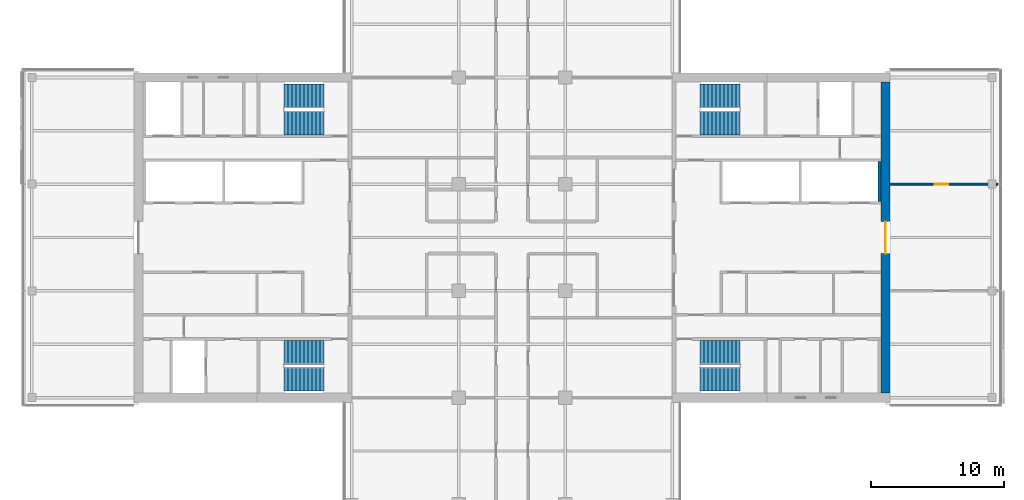
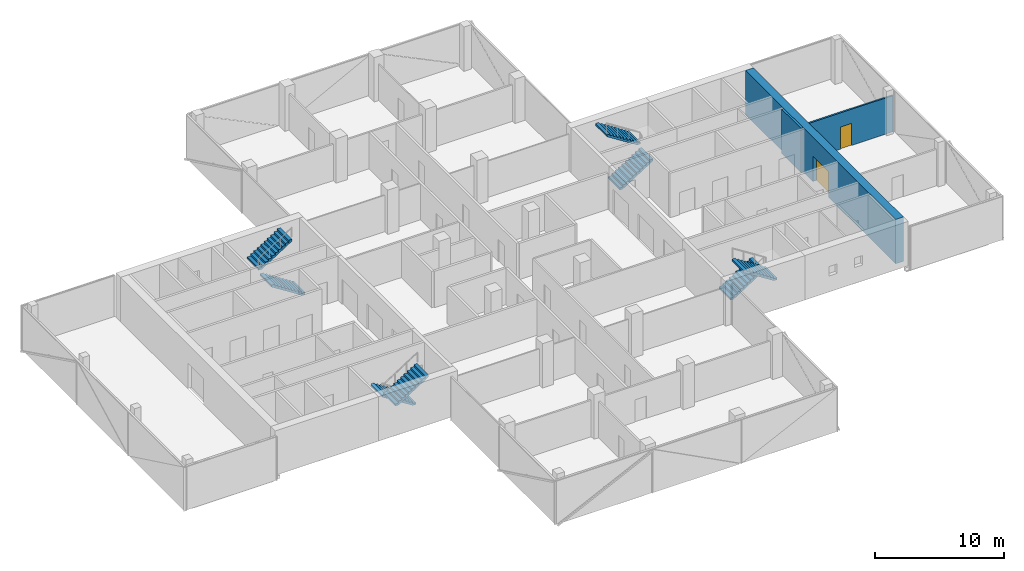
# One storey, part 17 of 22: 8 stair flights, 3 walls, 2 doors, 2 openings, 4 elements without a shape of their own.
"""IFC4 building model written with IfcOpenShell, lengths in metres."""

from ifc_helpers import new_model, si_unit, direction, frame, frame_2d, origin, place, context, subcontext, project, spatial, polyline, rectangle, outline, extrude, material, layer, layer_set, type_object, element, fill, aggregate, save


model = new_model("IFC4")

# Units and contexts
model_context = context("Model", 3, precision=1e-05, world=origin(), true_north=direction((0.0, 1.0)))
body_context = subcontext(model_context, "Body", "Model", "MODEL_VIEW")
ifc_project = project(units=[si_unit("LENGTHUNIT", "METRE"), si_unit("AREAUNIT", "SQUARE_METRE"), si_unit("VOLUMEUNIT", "CUBIC_METRE"), si_unit("PLANEANGLEUNIT", "RADIAN"), si_unit("MASSUNIT", "GRAM", prefix="KILO")], contexts=[model_context])

# Site, building, storey
site_placement = place(None, origin())
site = spatial("IfcSite", under=ifc_project, at=site_placement, CompositionType="ELEMENT")
building_placement = place(site_placement, origin())
building = spatial("IfcBuilding", under=site, at=building_placement, Name="Crosswind Convention Tower", CompositionType="ELEMENT")
storey_placement = place(building_placement, frame((0.0, 0.0, 129.5)))
storey = spatial("IfcBuildingStorey", under=building, at=storey_placement, Name="L26", CompositionType="ELEMENT", Elevation=129.5)

# Wall, opening, door
ifc_material_1 = material(Name="Concrete C60/75", Category="concrete")
ifc_layer_1 = layer(ifc_material_1, 0.699951171875)
ifc_layer_set_1 = layer_set([ifc_layer_1], Name="Concrete C60/75")
wall_type_1 = type_object("IfcWallType", Name="Concrete core wall 700", PredefinedType="SHEAR", material=ifc_layer_set_1)
wall_1_placement = place(storey_placement, frame((153.0, 88.35009765625, 0.0), z_axis=(0.0, 0.0, 1.0), x_axis=(0.0, 1.0, 0.0)))
wall_1 = element("IfcWall", 1, at=wall_1_placement, inside=storey, type_object=wall_type_1, Name="Wall O E L26", PredefinedType="SHEAR", context=body_context, shape_type="SweptSolid", body=[
    extrude(rectangle(XDim=23.2998046875, YDim=0.699951171875, at=frame_2d((11.64990234375, 0.0))), origin(), (0.0, 0.0, 1.0), 4.199951171875),
])
opening_1_placement = place(wall_1_placement, frame((10.449951171875, 0.0, 0.0)))
opening_1 = element("IfcOpeningElement", 2, at=opening_1_placement, cuts=wall_1, Name="Opening D100", PredefinedType="OPENING", context=body_context, shape_type="SweptSolid", body=[
    extrude(rectangle(XDim=2.39990234375, YDim=2.39990234375, at=frame_2d((1.199951171875, 1.199951171875))), frame((0.0, 0.35986328125, 0.0), z_axis=(0.0, -1.0, 0.0), x_axis=(1.0, 0.0, 0.0)), (0.0, 0.0, 1.0), 0.719970703125),
])
ifc_material_2 = material(Name="Steel fire door with glazed vision panels", Category="steel")
door_type_1 = type_object("IfcDoorType", Name="Fire-rated double door 2400x2400", OperationType="DOUBLE_DOOR_SINGLE_SWING", PredefinedType="DOOR", material=ifc_material_2)
door_1_placement = place(opening_1_placement, origin())
door_1 = element("IfcDoor", 3, at=door_1_placement, inside=storey, type_object=door_type_1, Name="Lobby outer door L26", ObjectType="D100", OperationType="DOUBLE_DOOR_SINGLE_SWING", OverallHeight=2.39990234375, OverallWidth=2.39990234375, PredefinedType="DOOR", context=body_context, shape_type="SweptSolid", body=[
    extrude(rectangle(XDim=2.39990234375, YDim=2.39990234375, at=frame_2d((1.199951171875, 1.199951171875))), frame((0.0, 0.02490234375, 0.0), z_axis=(0.0, -1.0, 0.0), x_axis=(1.0, 0.0, 0.0)), (0.0, 0.0, 1.0), 0.050048828125),
])
fill(opening_1, door_1)

# Wall
ifc_material_3 = material(Name="Concrete C50/60", Category="concrete")
ifc_layer_2 = layer(ifc_material_3, 0.199951171875)
ifc_layer_set_2 = layer_set([ifc_layer_2], Name="Concrete C50/60")
wall_type_2 = type_object("IfcWallType", Name="Concrete shaft and stair wall 200", PredefinedType="SHEAR", material=ifc_layer_set_2)
wall_2_placement = place(storey_placement, frame((152.550048828125, 102.699951171875, 0.0), z_axis=(0.0, 0.0, 1.0), x_axis=(0.0, 1.0, 0.0)))
element("IfcWall", 4, at=wall_2_placement, inside=storey, type_object=wall_type_2, Name="Wall RPEAST E L26", PredefinedType="SHEAR", context=body_context, shape_type="SweptSolid", body=[
    extrude(rectangle(XDim=3.0, YDim=0.199951171875, at=frame_2d((1.5, 0.0))), origin(), (0.0, 0.0, 1.0), 4.199951171875),
])

# Wall, opening, door
ifc_material_4 = material(Name="Fire-board partition with mineral wool", Category="gypsum")
ifc_layer_3 = layer(ifc_material_4, 0.14990234375)
ifc_layer_set_3 = layer_set([ifc_layer_3], Name="TENANCY WALL 150 TWO-HOUR BOARD")
wall_type_3 = type_object("IfcWallType", Name="TENANCY WALL 150 TWO-HOUR BOARD", PredefinedType="PARTITIONING", material=ifc_layer_set_3)
wall_3_placement = place(storey_placement, frame((153.35009765625, 104.0, 0.0), z_axis=(0.0, 0.0, 1.0), x_axis=(1.0, 0.0, 0.0)))
wall_3 = element("IfcWall", 5, at=wall_3_placement, inside=storey, type_object=wall_type_3, Name="Tenancy wall WT41", PredefinedType="PARTITIONING", context=body_context, shape_type="SweptSolid", body=[
    extrude(rectangle(XDim=8.06982421875, YDim=0.14990234375, at=frame_2d((4.034912109375, 0.0))), origin(), (0.0, 0.0, 1.0), 3.436279296875),
])
opening_2_placement = place(wall_3_placement, frame((3.35009765625, 0.0, 0.0)))
opening_2 = element("IfcOpeningElement", 6, at=opening_2_placement, cuts=wall_3, Name="Opening L26-68", PredefinedType="OPENING", context=body_context, shape_type="SweptSolid", body=[
    extrude(rectangle(XDim=1.0, YDim=2.10009765625, at=frame_2d((0.5, 1.050048828125))), frame((0.0, 0.0849609375, 0.0), z_axis=(0.0, -1.0, 0.0), x_axis=(1.0, 0.0, 0.0)), (0.0, 0.0, 1.0), 0.169921875),
])
ifc_material_5 = material(Name="Timber fire door", Category="wood")
door_type_2 = type_object("IfcDoorType", Name="TENANCY ENTRANCE DOOR 1000X2100 FD30S", OperationType="NOTDEFINED", PredefinedType="DOOR", material=ifc_material_5)
door_2_placement = place(opening_2_placement, origin())
door_2 = element("IfcDoor", 7, at=door_2_placement, inside=storey, type_object=door_type_2, Name="Door L26-68", ObjectType="D41", OperationType="SINGLE_SWING_RIGHT", OverallHeight=2.10009765625, OverallWidth=1.0, PredefinedType="DOOR", context=body_context, shape_type="SweptSolid", body=[
    extrude(rectangle(XDim=1.0, YDim=2.10009765625, at=frame_2d((0.5, 1.050048828125))), frame((0.0, 0.02490234375, 0.0), z_axis=(0.0, -1.0, 0.0), x_axis=(1.0, 0.0, 0.0)), (0.0, 0.0, 1.0), 0.050048828125),
])
fill(opening_2, door_2)

# Stair, stair flights
ifc_material_6 = material(Name="Concrete C40/50", Category="concrete")
stair_type = type_object("IfcStairType", Name="Exit stair 1800 wide, 2 flights of 11 risers", PredefinedType="HALF_TURN_STAIR", material=ifc_material_6)
stair_1_placement = place(storey_placement, origin())
stair_1 = element("IfcStair", 8, at=stair_1_placement, inside=storey, type_object=stair_type, Name="Exit stair ST1 L26", ObjectType="ST5", PredefinedType="HALF_TURN_STAIR")
stair_flight_type = type_object("IfcStairFlightType", Name="Stair flight 1800 wide, 11 risers (SF4)", PredefinedType="STRAIGHT", material=ifc_material_6)
stair_flight_1_placement = place(storey_placement, frame((139.10009765625, 108.60009765625, 0.0), z_axis=(0.0, 0.0, 1.0), x_axis=(1.0, 0.0, 0.0)))
stair_flight_1 = element("IfcStairFlight", 9, at=stair_flight_1_placement, type_object=stair_flight_type, Name="ST1 flight 1", NumberOfRisers=11, NumberOfTreads=10, PredefinedType="STRAIGHT", RiserHeight=0.190909091, TreadLength=0.3, context=body_context, shape_type="SweptSolid", body=[
    extrude(outline(polyline([(0.0, 0.0), (0.0, 0.19091796875), (0.300048828125, 0.19091796875), (0.300048828125, 0.3818359375), (0.60009765625, 0.3818359375), (0.60009765625, 0.57275390625), (0.89990234375, 0.57275390625), (0.89990234375, 0.763671875), (1.199951171875, 0.763671875), (1.199951171875, 0.95458984375), (1.5, 0.95458984375), (1.5, 1.1455078125), (1.800048828125, 1.1455078125), (1.800048828125, 1.33642578125), (2.10009765625, 1.33642578125), (2.10009765625, 1.52734375), (2.39990234375, 1.52734375), (2.39990234375, 1.71826171875), (2.699951171875, 1.71826171875), (2.699951171875, 1.9091796875), (3.0, 1.9091796875), (3.0, 2.10009765625), (3.0, 1.7314453125), (0.279296875, 0.0), (0.0, 0.0)])), frame((0.0, 0.89990234375, 0.0), z_axis=(0.0, -1.0, 0.0), x_axis=(1.0, 0.0, 0.0)), (0.0, 0.0, 1.0), 1.800048828125),
])
stair_flight_2_placement = place(storey_placement, frame((142.10009765625, 110.60009765625, 2.10009765625), z_axis=(0.0, 0.0, 1.0), x_axis=(-1.0, 0.0, 0.0)))
stair_flight_2 = element("IfcStairFlight", 10, at=stair_flight_2_placement, type_object=stair_flight_type, Name="ST1 flight 2", NumberOfRisers=11, NumberOfTreads=10, PredefinedType="STRAIGHT", RiserHeight=0.190909091, TreadLength=0.3, context=body_context, shape_type="SweptSolid", body=[
    extrude(outline(polyline([(0.0, 0.0), (0.0, 0.19091796875), (0.300048828125, 0.19091796875), (0.300048828125, 0.3818359375), (0.60009765625, 0.3818359375), (0.60009765625, 0.57275390625), (0.89990234375, 0.57275390625), (0.89990234375, 0.763671875), (1.199951171875, 0.763671875), (1.199951171875, 0.95458984375), (1.5, 0.95458984375), (1.5, 1.1455078125), (1.800048828125, 1.1455078125), (1.800048828125, 1.33642578125), (2.10009765625, 1.33642578125), (2.10009765625, 1.52734375), (2.39990234375, 1.52734375), (2.39990234375, 1.71826171875), (2.699951171875, 1.71826171875), (2.699951171875, 1.9091796875), (3.0, 1.9091796875), (3.0, 2.10009765625), (3.0, 1.7314453125), (0.279296875, 0.0), (0.0, 0.0)])), frame((0.0, 0.89990234375, 0.0), z_axis=(0.0, -1.0, 0.0), x_axis=(1.0, 0.0, 0.0)), (0.0, 0.0, 1.0), 1.800048828125),
])
aggregate(stair_1, [stair_flight_1, stair_flight_2])

stair_2_placement = place(storey_placement, origin())
stair_2 = element("IfcStair", 11, at=stair_2_placement, inside=storey, type_object=stair_type, Name="Exit stair ST2 L26", ObjectType="ST5", PredefinedType="HALF_TURN_STAIR")
stair_flight_3_placement = place(storey_placement, frame((139.10009765625, 91.39990234375, 0.0), z_axis=(0.0, 0.0, 1.0), x_axis=(1.0, 0.0, 0.0)))
stair_flight_3 = element("IfcStairFlight", 12, at=stair_flight_3_placement, type_object=stair_flight_type, Name="ST2 flight 1", NumberOfRisers=11, NumberOfTreads=10, PredefinedType="STRAIGHT", RiserHeight=0.190909091, TreadLength=0.3, context=body_context, shape_type="SweptSolid", body=[
    extrude(outline(polyline([(0.0, 0.0), (0.0, 0.19091796875), (0.300048828125, 0.19091796875), (0.300048828125, 0.3818359375), (0.60009765625, 0.3818359375), (0.60009765625, 0.57275390625), (0.89990234375, 0.57275390625), (0.89990234375, 0.763671875), (1.199951171875, 0.763671875), (1.199951171875, 0.95458984375), (1.5, 0.95458984375), (1.5, 1.1455078125), (1.800048828125, 1.1455078125), (1.800048828125, 1.33642578125), (2.10009765625, 1.33642578125), (2.10009765625, 1.52734375), (2.39990234375, 1.52734375), (2.39990234375, 1.71826171875), (2.699951171875, 1.71826171875), (2.699951171875, 1.9091796875), (3.0, 1.9091796875), (3.0, 2.10009765625), (3.0, 1.7314453125), (0.279296875, 0.0), (0.0, 0.0)])), frame((0.0, 0.89990234375, 0.0), z_axis=(0.0, -1.0, 0.0), x_axis=(1.0, 0.0, 0.0)), (0.0, 0.0, 1.0), 1.800048828125),
])
stair_flight_4_placement = place(storey_placement, frame((142.10009765625, 89.39990234375, 2.10009765625), z_axis=(0.0, 0.0, 1.0), x_axis=(-1.0, 0.0, 0.0)))
stair_flight_4 = element("IfcStairFlight", 13, at=stair_flight_4_placement, type_object=stair_flight_type, Name="ST2 flight 2", NumberOfRisers=11, NumberOfTreads=10, PredefinedType="STRAIGHT", RiserHeight=0.190909091, TreadLength=0.3, context=body_context, shape_type="SweptSolid", body=[
    extrude(outline(polyline([(0.0, 0.0), (0.0, 0.19091796875), (0.300048828125, 0.19091796875), (0.300048828125, 0.3818359375), (0.60009765625, 0.3818359375), (0.60009765625, 0.57275390625), (0.89990234375, 0.57275390625), (0.89990234375, 0.763671875), (1.199951171875, 0.763671875), (1.199951171875, 0.95458984375), (1.5, 0.95458984375), (1.5, 1.1455078125), (1.800048828125, 1.1455078125), (1.800048828125, 1.33642578125), (2.10009765625, 1.33642578125), (2.10009765625, 1.52734375), (2.39990234375, 1.52734375), (2.39990234375, 1.71826171875), (2.699951171875, 1.71826171875), (2.699951171875, 1.9091796875), (3.0, 1.9091796875), (3.0, 2.10009765625), (3.0, 1.7314453125), (0.279296875, 0.0), (0.0, 0.0)])), frame((0.0, 0.89990234375, 0.0), z_axis=(0.0, -1.0, 0.0), x_axis=(1.0, 0.0, 0.0)), (0.0, 0.0, 1.0), 1.800048828125),
])
aggregate(stair_2, [stair_flight_3, stair_flight_4])

stair_3_placement = place(storey_placement, origin())
stair_3 = element("IfcStair", 14, at=stair_3_placement, inside=storey, type_object=stair_type, Name="Exit stair ST3 L26", ObjectType="ST5", PredefinedType="HALF_TURN_STAIR")
stair_flight_5_placement = place(storey_placement, frame((110.89990234375, 91.39990234375, 0.0), z_axis=(0.0, 0.0, 1.0), x_axis=(-1.0, 0.0, 0.0)))
stair_flight_5 = element("IfcStairFlight", 15, at=stair_flight_5_placement, type_object=stair_flight_type, Name="ST3 flight 1", NumberOfRisers=11, NumberOfTreads=10, PredefinedType="STRAIGHT", RiserHeight=0.190909091, TreadLength=0.3, context=body_context, shape_type="SweptSolid", body=[
    extrude(outline(polyline([(0.0, 0.0), (0.0, 0.19091796875), (0.300048828125, 0.19091796875), (0.300048828125, 0.3818359375), (0.60009765625, 0.3818359375), (0.60009765625, 0.57275390625), (0.89990234375, 0.57275390625), (0.89990234375, 0.763671875), (1.199951171875, 0.763671875), (1.199951171875, 0.95458984375), (1.5, 0.95458984375), (1.5, 1.1455078125), (1.800048828125, 1.1455078125), (1.800048828125, 1.33642578125), (2.10009765625, 1.33642578125), (2.10009765625, 1.52734375), (2.39990234375, 1.52734375), (2.39990234375, 1.71826171875), (2.699951171875, 1.71826171875), (2.699951171875, 1.9091796875), (3.0, 1.9091796875), (3.0, 2.10009765625), (3.0, 1.7314453125), (0.279296875, 0.0), (0.0, 0.0)])), frame((0.0, 0.89990234375, 0.0), z_axis=(0.0, -1.0, 0.0), x_axis=(1.0, 0.0, 0.0)), (0.0, 0.0, 1.0), 1.800048828125),
])
stair_flight_6_placement = place(storey_placement, frame((107.89990234375, 89.39990234375, 2.10009765625), z_axis=(0.0, 0.0, 1.0), x_axis=(1.0, 0.0, 0.0)))
stair_flight_6 = element("IfcStairFlight", 16, at=stair_flight_6_placement, type_object=stair_flight_type, Name="ST3 flight 2", NumberOfRisers=11, NumberOfTreads=10, PredefinedType="STRAIGHT", RiserHeight=0.190909091, TreadLength=0.3, context=body_context, shape_type="SweptSolid", body=[
    extrude(outline(polyline([(0.0, 0.0), (0.0, 0.19091796875), (0.300048828125, 0.19091796875), (0.300048828125, 0.3818359375), (0.60009765625, 0.3818359375), (0.60009765625, 0.57275390625), (0.89990234375, 0.57275390625), (0.89990234375, 0.763671875), (1.199951171875, 0.763671875), (1.199951171875, 0.95458984375), (1.5, 0.95458984375), (1.5, 1.1455078125), (1.800048828125, 1.1455078125), (1.800048828125, 1.33642578125), (2.10009765625, 1.33642578125), (2.10009765625, 1.52734375), (2.39990234375, 1.52734375), (2.39990234375, 1.71826171875), (2.699951171875, 1.71826171875), (2.699951171875, 1.9091796875), (3.0, 1.9091796875), (3.0, 2.10009765625), (3.0, 1.7314453125), (0.279296875, 0.0), (0.0, 0.0)])), frame((0.0, 0.89990234375, 0.0), z_axis=(0.0, -1.0, 0.0), x_axis=(1.0, 0.0, 0.0)), (0.0, 0.0, 1.0), 1.800048828125),
])
aggregate(stair_3, [stair_flight_5, stair_flight_6])

stair_4_placement = place(storey_placement, origin())
stair_4 = element("IfcStair", 17, at=stair_4_placement, inside=storey, type_object=stair_type, Name="Exit stair ST4 L26", ObjectType="ST5", PredefinedType="HALF_TURN_STAIR")
stair_flight_7_placement = place(storey_placement, frame((110.89990234375, 108.60009765625, 0.0), z_axis=(0.0, 0.0, 1.0), x_axis=(-1.0, 0.0, 0.0)))
stair_flight_7 = element("IfcStairFlight", 18, at=stair_flight_7_placement, type_object=stair_flight_type, Name="ST4 flight 1", NumberOfRisers=11, NumberOfTreads=10, PredefinedType="STRAIGHT", RiserHeight=0.190909091, TreadLength=0.3, context=body_context, shape_type="SweptSolid", body=[
    extrude(outline(polyline([(0.0, 0.0), (0.0, 0.19091796875), (0.300048828125, 0.19091796875), (0.300048828125, 0.3818359375), (0.60009765625, 0.3818359375), (0.60009765625, 0.57275390625), (0.89990234375, 0.57275390625), (0.89990234375, 0.763671875), (1.199951171875, 0.763671875), (1.199951171875, 0.95458984375), (1.5, 0.95458984375), (1.5, 1.1455078125), (1.800048828125, 1.1455078125), (1.800048828125, 1.33642578125), (2.10009765625, 1.33642578125), (2.10009765625, 1.52734375), (2.39990234375, 1.52734375), (2.39990234375, 1.71826171875), (2.699951171875, 1.71826171875), (2.699951171875, 1.9091796875), (3.0, 1.9091796875), (3.0, 2.10009765625), (3.0, 1.7314453125), (0.279296875, 0.0), (0.0, 0.0)])), frame((0.0, 0.89990234375, 0.0), z_axis=(0.0, -1.0, 0.0), x_axis=(1.0, 0.0, 0.0)), (0.0, 0.0, 1.0), 1.800048828125),
])
stair_flight_8_placement = place(storey_placement, frame((107.89990234375, 110.60009765625, 2.10009765625), z_axis=(0.0, 0.0, 1.0), x_axis=(1.0, 0.0, 0.0)))
stair_flight_8 = element("IfcStairFlight", 19, at=stair_flight_8_placement, type_object=stair_flight_type, Name="ST4 flight 2", NumberOfRisers=11, NumberOfTreads=10, PredefinedType="STRAIGHT", RiserHeight=0.190909091, TreadLength=0.3, context=body_context, shape_type="SweptSolid", body=[
    extrude(outline(polyline([(0.0, 0.0), (0.0, 0.19091796875), (0.300048828125, 0.19091796875), (0.300048828125, 0.3818359375), (0.60009765625, 0.3818359375), (0.60009765625, 0.57275390625), (0.89990234375, 0.57275390625), (0.89990234375, 0.763671875), (1.199951171875, 0.763671875), (1.199951171875, 0.95458984375), (1.5, 0.95458984375), (1.5, 1.1455078125), (1.800048828125, 1.1455078125), (1.800048828125, 1.33642578125), (2.10009765625, 1.33642578125), (2.10009765625, 1.52734375), (2.39990234375, 1.52734375), (2.39990234375, 1.71826171875), (2.699951171875, 1.71826171875), (2.699951171875, 1.9091796875), (3.0, 1.9091796875), (3.0, 2.10009765625), (3.0, 1.7314453125), (0.279296875, 0.0), (0.0, 0.0)])), frame((0.0, 0.89990234375, 0.0), z_axis=(0.0, -1.0, 0.0), x_axis=(1.0, 0.0, 0.0)), (0.0, 0.0, 1.0), 1.800048828125),
])
aggregate(stair_4, [stair_flight_7, stair_flight_8])

save(model, "model.ifc")
